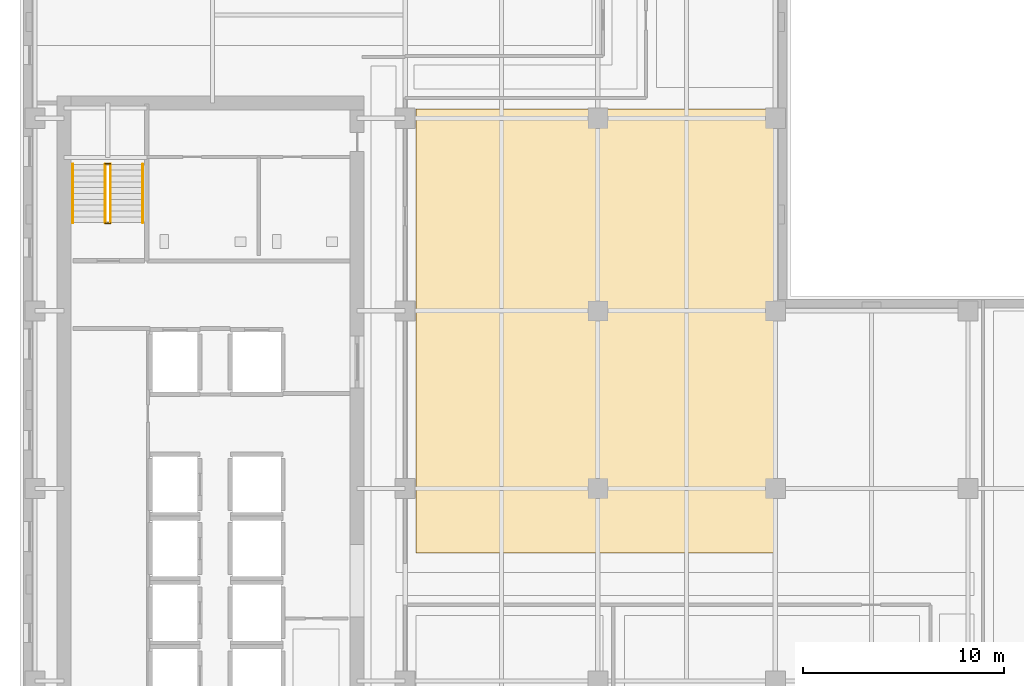
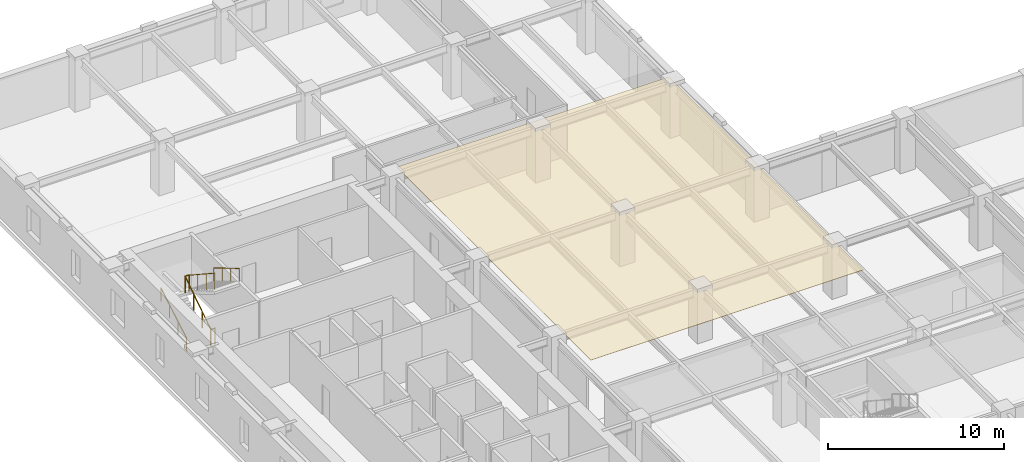
# One storey, part 10 of 12: 6 railings, 1 covering.
"""IFC4 building model written with IfcOpenShell, lengths in metres."""

from ifc_helpers import new_model, si_unit, direction, frame, origin, origin_2d, place, context, subcontext, project, spatial, polyline, circle, outline, extrude, material, layer, layer_set, type_object, element, save


model = new_model("IFC4")

# Units and contexts
model_context = context("Model", 3, precision=1e-05, world=origin(), true_north=direction((0.0, 1.0)))
body_context = subcontext(model_context, "Body", "Model", "MODEL_VIEW")
ifc_project = project(units=[si_unit("LENGTHUNIT", "METRE"), si_unit("AREAUNIT", "SQUARE_METRE"), si_unit("VOLUMEUNIT", "CUBIC_METRE"), si_unit("PLANEANGLEUNIT", "RADIAN"), si_unit("MASSUNIT", "GRAM", prefix="KILO")], contexts=[model_context])

# Site, building, storey
site_placement = place(None, origin())
site = spatial("IfcSite", under=ifc_project, at=site_placement, CompositionType="ELEMENT")
building_placement = place(site_placement, origin())
building = spatial("IfcBuilding", under=site, at=building_placement, Name="Norrvale University Quadrangle", CompositionType="ELEMENT")
storey_placement = place(building_placement, frame((0.0, 0.0, 139.39990234375)))
storey = spatial("IfcBuildingStorey", under=building, at=storey_placement, Name="L35", CompositionType="ELEMENT", Elevation=139.39990234375)

# Covering
ifc_material_1 = material(Name="Perforated Acoustic Mineral Ceiling")
ifc_layer = layer(ifc_material_1, 0.02490234375, Name="Perforated Acoustic Mineral Ceiling")
ifc_layer_set = layer_set([ifc_layer], Name="Perforated Acoustic Mineral Ceiling")
covering_type = type_object("IfcCoveringType", Name="Covering Acoustic Ceiling 25", PredefinedType="CEILING", material=ifc_layer_set)
covering_placement = place(storey_placement, frame((0.0, 0.0, 3.51513671875)))
element("IfcCovering", 1, at=covering_placement, inside=storey, type_object=covering_type, Name="Acoustic Ceiling RM-L35-MNE01", PredefinedType="CEILING", context=body_context, shape_type="SweptSolid", body=[
    extrude(outline(polyline([(19.72998046875, 47.719970703125), (37.64990234375, 47.719970703125), (37.64990234375, 25.580078125), (19.72998046875, 25.580078125), (19.72998046875, 47.719970703125)])), origin(), (0.0, 0.0, 1.0), 0.02490234375),
])

# Railings
ifc_material_2 = material(Name="Steel 350W Painted Balustrade", Category="steel")
railing_type_1 = type_object("IfcRailingType", Name="Railing Stair Guard 1100", PredefinedType="GUARDRAIL", material=ifc_material_2)
for number, where, name in (
    (2, (4.239990234375, 42.02001953125, 0.0), "Stair Floor Well Guard ST-02 L35"),
    (3, (4.239990234375, 44.97998046875, 1.900146484375), "Stair Mid-Landing Slot Guard ST-02 L35"),
):
    element("IfcRailing", number, at=place(storey_placement, frame(where)), inside=storey, type_object=railing_type_1, Name=name, PredefinedType="GUARDRAIL", context=body_context, shape_type="SweptSolid", body=[
        extrude(circle(Radius=0.02392578125, at=origin_2d()), frame((0.0, 0.0, 1.1259765625), z_axis=(1.0, 0.0, 0.0), x_axis=(0.0, 1.0, 0.0)), (0.0, 0.0, 1.0), 0.27001953125),
        extrude(circle(Radius=0.02099609375, at=origin_2d()), origin(), (0.0, 0.0, 1.0), 1.101806640625),
        extrude(circle(Radius=0.02099609375, at=origin_2d()), frame((0.27001953125, 0.0, 0.0)), (0.0, 0.0, 1.0), 1.101806640625),
    ])
railing_1_placement = place(storey_placement, frame((4.239990234375, 42.050048828125, 0.0)))
element("IfcRailing", 4, at=railing_1_placement, inside=storey, type_object=railing_type_1, Name="Stair Lower Flight Inner Guard ST-02 L35", PredefinedType="GUARDRAIL", context=body_context, shape_type="SweptSolid", body=[
    extrude(circle(Radius=0.02392578125, at=origin_2d()), frame((0.0, 0.0, 1.1259765625), z_axis=(0.0, 0.836433300813, 0.548068730445), x_axis=(-1.0, 0.0, 0.0)), (0.0, 0.0, 1.0), 3.467041015625),
    extrude(circle(Radius=0.02099609375, at=origin_2d()), origin(), (0.0, 0.0, 1.0), 1.101806640625),
    extrude(circle(Radius=0.02099609375, at=origin_2d()), frame((0.0, 0.966552734375, 0.63330078125)), (0.0, 0.0, 1.0), 1.101806640625),
    extrude(circle(Radius=0.02099609375, at=origin_2d()), frame((0.0, 1.933349609375, 1.266845703125)), (0.0, 0.0, 1.0), 1.101806640625),
    extrude(circle(Radius=0.02099609375, at=origin_2d()), frame((0.0, 2.89990234375, 1.900146484375)), (0.0, 0.0, 1.0), 1.101806640625),
])
railing_2_placement = place(storey_placement, frame((4.510009765625, 44.949951171875, 1.900146484375)))
element("IfcRailing", 5, at=railing_2_placement, inside=storey, type_object=railing_type_1, Name="Stair Upper Flight Inner Guard ST-02 L35", PredefinedType="GUARDRAIL", context=body_context, shape_type="SweptSolid", body=[
    extrude(circle(Radius=0.02392578125, at=origin_2d()), frame((0.0, 0.0, 1.1259765625), z_axis=(0.0, -0.836465582154, 0.548019461216), x_axis=(1.0, 0.0, 0.0)), (0.0, 0.0, 1.0), 3.466796875),
    extrude(circle(Radius=0.02099609375, at=origin_2d()), origin(), (0.0, 0.0, 1.0), 1.101806640625),
    extrude(circle(Radius=0.02099609375, at=origin_2d()), frame((0.0, -0.966552734375, 0.63330078125)), (0.0, 0.0, 1.0), 1.101806640625),
    extrude(circle(Radius=0.02099609375, at=origin_2d()), frame((0.0, -1.933349609375, 1.2666015625)), (0.0, 0.0, 1.0), 1.101806640625),
    extrude(circle(Radius=0.02099609375, at=origin_2d()), frame((0.0, -2.89990234375, 1.89990234375)), (0.0, 0.0, 1.0), 1.101806640625),
])
ifc_material_3 = material(Name="Stainless Steel 316L Handrail", Category="steel")
railing_type_2 = type_object("IfcRailingType", Name="Railing Stair Handrail 920", PredefinedType="HANDRAIL", material=ifc_material_3)
railing_3_placement = place(storey_placement, frame((2.639892578125, 42.050048828125, 0.1728515625)))
element("IfcRailing", 6, at=railing_3_placement, inside=storey, type_object=railing_type_2, Name="Stair Lower Flight Handrail ST-02 L35", PredefinedType="HANDRAIL", context=body_context, shape_type="SweptSolid", body=[
    extrude(circle(Radius=0.02392578125, at=origin_2d()), frame((0.0, 0.0, 0.89599609375), z_axis=(0.0, 0.859141464434, 0.511738159696), x_axis=(-1.0, 0.0, 0.0)), (0.0, 0.0, 1.0), 3.375244140625),
    extrude(circle(Radius=0.02099609375, at=origin_2d()), origin(), (0.0, 0.0, 1.0), 0.871826171875),
    extrude(circle(Radius=0.02099609375, at=origin_2d()), frame((0.0, 0.966552734375, 0.57568359375)), (0.0, 0.0, 1.0), 0.871826171875),
    extrude(circle(Radius=0.02099609375, at=origin_2d()), frame((0.0, 1.933349609375, 1.151611328125)), (0.0, 0.0, 1.0), 0.871826171875),
    extrude(circle(Radius=0.02099609375, at=origin_2d()), frame((0.0, 2.89990234375, 1.727294921875)), (0.0, 0.0, 1.0), 0.871826171875),
])
railing_4_placement = place(storey_placement, frame((6.110107421875, 44.949951171875, 2.07275390625)))
element("IfcRailing", 7, at=railing_4_placement, inside=storey, type_object=railing_type_2, Name="Stair Upper Flight Handrail ST-02 L35", PredefinedType="HANDRAIL", context=body_context, shape_type="SweptSolid", body=[
    extrude(circle(Radius=0.02392578125, at=origin_2d()), frame((0.0, 0.0, 0.89599609375), z_axis=(0.0, -0.859141464434, 0.511738159696), x_axis=(1.0, 0.0, 0.0)), (0.0, 0.0, 1.0), 3.375244140625),
    extrude(circle(Radius=0.02099609375, at=origin_2d()), origin(), (0.0, 0.0, 1.0), 0.871826171875),
    extrude(circle(Radius=0.02099609375, at=origin_2d()), frame((0.0, -0.966552734375, 0.57568359375)), (0.0, 0.0, 1.0), 0.871826171875),
    extrude(circle(Radius=0.02099609375, at=origin_2d()), frame((0.0, -1.933349609375, 1.151611328125)), (0.0, 0.0, 1.0), 0.871826171875),
    extrude(circle(Radius=0.02099609375, at=origin_2d()), frame((0.0, -2.89990234375, 1.727294921875)), (0.0, 0.0, 1.0), 0.871826171875),
])

save(model, "model.ifc")
